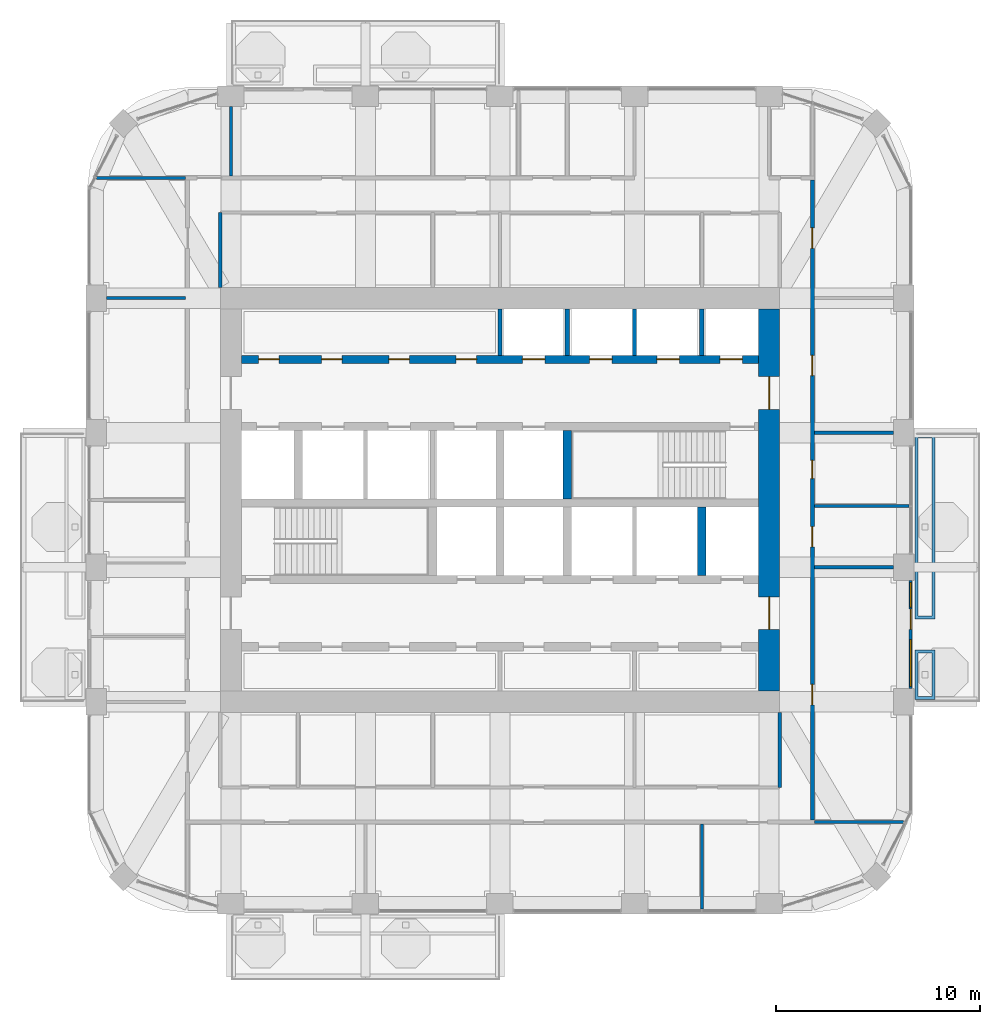
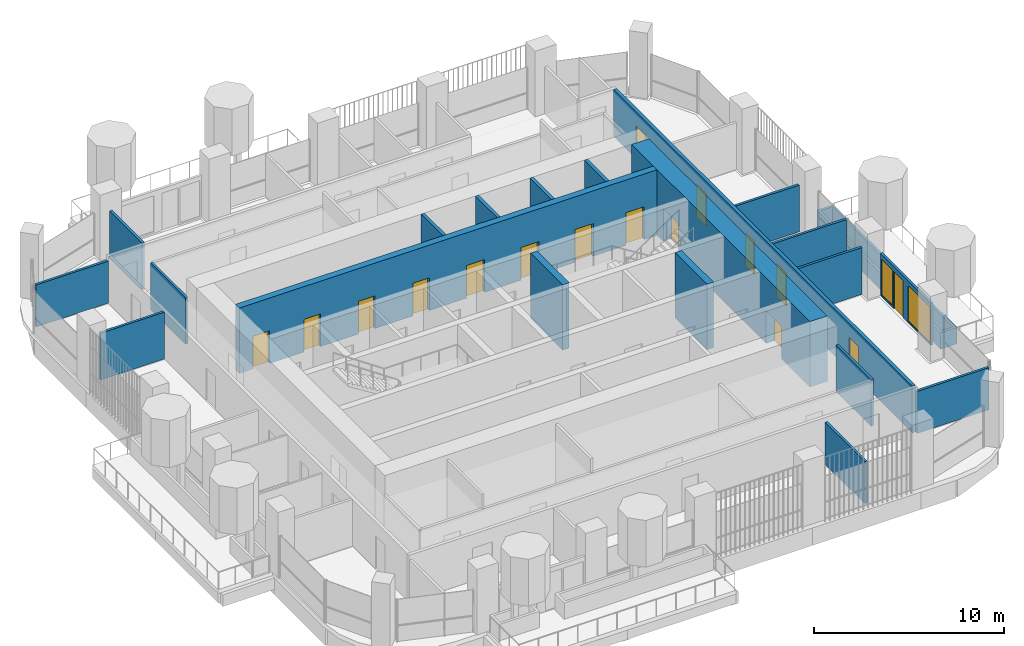
# One storey, part 14 of 20: 22 walls, 16 doors, 2 windows, 18 openings.
"""IFC4 building model written with IfcOpenShell, lengths in metres."""

from ifc_helpers import new_model, si_unit, direction, frame, frame_2d, origin, place, context, subcontext, project, spatial, polyline, rectangle, outline, extrude, material, layer, layer_set, type_object, element, fill, save


model = new_model("IFC4")

# Units and contexts
model_context = context("Model", 3, precision=1e-05, world=origin(), true_north=direction((0.0, 1.0)))
body_context = subcontext(model_context, "Body", "Model", "MODEL_VIEW")
ifc_project = project(units=[si_unit("LENGTHUNIT", "METRE"), si_unit("AREAUNIT", "SQUARE_METRE"), si_unit("VOLUMEUNIT", "CUBIC_METRE"), si_unit("PLANEANGLEUNIT", "RADIAN"), si_unit("MASSUNIT", "GRAM", prefix="KILO")], contexts=[model_context])

# Site, building, storey
site_placement = place(None, origin())
site = spatial("IfcSite", under=ifc_project, at=site_placement, CompositionType="ELEMENT")
building_placement = place(site_placement, origin())
building = spatial("IfcBuilding", under=site, at=building_placement, Name="Cobogo Forest Laboratory Tower", CompositionType="ELEMENT")
storey_placement = place(building_placement, frame((0.0, 0.0, 246.0)))
storey = spatial("IfcBuildingStorey", under=building, at=storey_placement, Name="L56", CompositionType="ELEMENT", Elevation=246.0)

# Wall, openings, doors
ifc_material_1 = material(Name="Concrete HA-50 (C50/60)", Category="concrete")
ifc_layer_1 = layer(ifc_material_1, 0.39990234375)
ifc_layer_set_1 = layer_set([ifc_layer_1], Name="CI400 core inner wall 400")
wall_type_1 = type_object("IfcWallType", Name="CI400 core inner wall 400", PredefinedType="SHEAR", material=ifc_layer_set_1)
wall_1_placement = place(storey_placement, frame((13.72509765625, 30.0, 0.0), z_axis=(0.0, 0.0, 1.0), x_axis=(1.0, 0.0, 0.0)))
wall_1 = element("IfcWall", 1, at=wall_1_placement, inside=storey, type_object=wall_type_1, Name="Core wall CI-30.0 L56", PredefinedType="SHEAR", context=body_context, shape_type="SweptSolid", body=[
    extrude(rectangle(XDim=25.349853515625, YDim=0.39990234375, at=frame_2d((12.6748046875, 0.0))), origin(), (0.0, 0.0, 1.0), 4.199951171875),
])
opening_1_placement = place(wall_1_placement, frame((0.83740234375, 0.0, 0.0)))
opening_1 = element("IfcOpeningElement", 2, at=opening_1_placement, cuts=wall_1, Name="Opening L56-D36", PredefinedType="OPENING", context=body_context, shape_type="SweptSolid", body=[
    extrude(rectangle(XDim=1.0, YDim=2.10009765625, at=frame_2d((0.5, 1.050048828125))), frame((0.0, 0.2099609375, 0.0), z_axis=(0.0, -1.0, 0.0), x_axis=(1.0, 0.0, 0.0)), (0.0, 0.0, 1.0), 0.419921875),
])
opening_2_placement = place(wall_1_placement, frame((3.925048828125, 0.0, 0.0)))
opening_2 = element("IfcOpeningElement", 3, at=opening_2_placement, cuts=wall_1, Name="Opening L56-D37", PredefinedType="OPENING", context=body_context, shape_type="SweptSolid", body=[
    extrude(rectangle(XDim=1.0, YDim=2.10009765625, at=frame_2d((0.5, 1.050048828125))), frame((0.0, 0.2099609375, 0.0), z_axis=(0.0, -1.0, 0.0), x_axis=(1.0, 0.0, 0.0)), (0.0, 0.0, 1.0), 0.419921875),
])
opening_3_placement = place(wall_1_placement, frame((7.22509765625, 0.0, 0.0)))
opening_3 = element("IfcOpeningElement", 4, at=opening_3_placement, cuts=wall_1, Name="Opening L56-D38", PredefinedType="OPENING", context=body_context, shape_type="SweptSolid", body=[
    extrude(rectangle(XDim=1.0, YDim=2.10009765625, at=frame_2d((0.5, 1.050048828125))), frame((0.0, 0.2099609375, 0.0), z_axis=(0.0, -1.0, 0.0), x_axis=(1.0, 0.0, 0.0)), (0.0, 0.0, 1.0), 0.419921875),
])
opening_4_placement = place(wall_1_placement, frame((10.52490234375, 0.0, 0.0)))
opening_4 = element("IfcOpeningElement", 5, at=opening_4_placement, cuts=wall_1, Name="Opening L56-D39", PredefinedType="OPENING", context=body_context, shape_type="SweptSolid", body=[
    extrude(rectangle(XDim=1.0, YDim=2.10009765625, at=frame_2d((0.5, 1.050048828125))), frame((0.0, 0.2099609375, 0.0), z_axis=(0.0, -1.0, 0.0), x_axis=(1.0, 0.0, 0.0)), (0.0, 0.0, 1.0), 0.419921875),
])
opening_5_placement = place(wall_1_placement, frame((13.77490234375, 0.0, 0.0)))
opening_5 = element("IfcOpeningElement", 6, at=opening_5_placement, cuts=wall_1, Name="Opening L56-LD-LD1", PredefinedType="OPENING", context=body_context, shape_type="SweptSolid", body=[
    extrude(rectangle(XDim=1.10009765625, YDim=2.10009765625, at=frame_2d((0.550048828125, 1.050048828125))), frame((0.0, 0.2099609375, 0.0), z_axis=(0.0, -1.0, 0.0), x_axis=(1.0, 0.0, 0.0)), (0.0, 0.0, 1.0), 0.419921875),
])
opening_6_placement = place(wall_1_placement, frame((17.074951171875, 0.0, 0.0)))
opening_6 = element("IfcOpeningElement", 7, at=opening_6_placement, cuts=wall_1, Name="Opening L56-LD-LD2", PredefinedType="OPENING", context=body_context, shape_type="SweptSolid", body=[
    extrude(rectangle(XDim=1.10009765625, YDim=2.10009765625, at=frame_2d((0.550048828125, 1.050048828125))), frame((0.0, 0.2099609375, 0.0), z_axis=(0.0, -1.0, 0.0), x_axis=(1.0, 0.0, 0.0)), (0.0, 0.0, 1.0), 0.419921875),
])
opening_7_placement = place(wall_1_placement, frame((20.375, 0.0, 0.0)))
opening_7 = element("IfcOpeningElement", 8, at=opening_7_placement, cuts=wall_1, Name="Opening L56-LD-LD3", PredefinedType="OPENING", context=body_context, shape_type="SweptSolid", body=[
    extrude(rectangle(XDim=1.10009765625, YDim=2.10009765625, at=frame_2d((0.550048828125, 1.050048828125))), frame((0.0, 0.2099609375, 0.0), z_axis=(0.0, -1.0, 0.0), x_axis=(1.0, 0.0, 0.0)), (0.0, 0.0, 1.0), 0.419921875),
])
opening_8_placement = place(wall_1_placement, frame((23.46240234375, 0.0, 0.0)))
opening_8 = element("IfcOpeningElement", 9, at=opening_8_placement, cuts=wall_1, Name="Opening L56-LD-LD4", PredefinedType="OPENING", context=body_context, shape_type="SweptSolid", body=[
    extrude(rectangle(XDim=1.10009765625, YDim=2.10009765625, at=frame_2d((0.550048828125, 1.050048828125))), frame((0.0, 0.2099609375, 0.0), z_axis=(0.0, -1.0, 0.0), x_axis=(1.0, 0.0, 0.0)), (0.0, 0.0, 1.0), 0.419921875),
])
ifc_material_2 = material(Name="Steel fire door", Category="steel")
door_type_1 = type_object("IfcDoorType", Name="FD1 fire door 1000 EI2 60", OperationType="SINGLE_SWING_LEFT", PredefinedType="DOOR", material=ifc_material_2)
door_1_placement = place(opening_1_placement, origin())
door_1 = element("IfcDoor", 10, at=door_1_placement, inside=storey, type_object=door_type_1, Name="Door L56-SH-LC1", OperationType="SINGLE_SWING_LEFT", OverallHeight=2.10009765625, OverallWidth=1.0, PredefinedType="DOOR", context=body_context, shape_type="SweptSolid", body=[
    extrude(rectangle(XDim=1.0, YDim=2.10009765625, at=frame_2d((0.5, 1.050048828125))), frame((0.0, 0.02490234375, 0.0), z_axis=(0.0, -1.0, 0.0), x_axis=(1.0, 0.0, 0.0)), (0.0, 0.0, 1.0), 0.050048828125),
])
fill(opening_1, door_1)
door_2_placement = place(opening_2_placement, origin())
door_2 = element("IfcDoor", 11, at=door_2_placement, inside=storey, type_object=door_type_1, Name="Door L56-SH-LC2", OperationType="SINGLE_SWING_LEFT", OverallHeight=2.10009765625, OverallWidth=1.0, PredefinedType="DOOR", context=body_context, shape_type="SweptSolid", body=[
    extrude(rectangle(XDim=1.0, YDim=2.10009765625, at=frame_2d((0.5, 1.050048828125))), frame((0.0, 0.02490234375, 0.0), z_axis=(0.0, -1.0, 0.0), x_axis=(1.0, 0.0, 0.0)), (0.0, 0.0, 1.0), 0.050048828125),
])
fill(opening_2, door_2)
door_3_placement = place(opening_3_placement, origin())
door_3 = element("IfcDoor", 12, at=door_3_placement, inside=storey, type_object=door_type_1, Name="Door L56-SH-LC3", OperationType="SINGLE_SWING_LEFT", OverallHeight=2.10009765625, OverallWidth=1.0, PredefinedType="DOOR", context=body_context, shape_type="SweptSolid", body=[
    extrude(rectangle(XDim=1.0, YDim=2.10009765625, at=frame_2d((0.5, 1.050048828125))), frame((0.0, 0.02490234375, 0.0), z_axis=(0.0, -1.0, 0.0), x_axis=(1.0, 0.0, 0.0)), (0.0, 0.0, 1.0), 0.050048828125),
])
fill(opening_3, door_3)
door_4_placement = place(opening_4_placement, origin())
door_4 = element("IfcDoor", 13, at=door_4_placement, inside=storey, type_object=door_type_1, Name="Door L56-SH-LC4", OperationType="SINGLE_SWING_LEFT", OverallHeight=2.10009765625, OverallWidth=1.0, PredefinedType="DOOR", context=body_context, shape_type="SweptSolid", body=[
    extrude(rectangle(XDim=1.0, YDim=2.10009765625, at=frame_2d((0.5, 1.050048828125))), frame((0.0, 0.02490234375, 0.0), z_axis=(0.0, -1.0, 0.0), x_axis=(1.0, 0.0, 0.0)), (0.0, 0.0, 1.0), 0.050048828125),
])
fill(opening_4, door_4)
ifc_material_3 = material(Name="Stainless steel lift door", Category="steel")
door_type_2 = type_object("IfcDoorType", Name="LD lift landing door 1100", OperationType="DOUBLE_DOOR_SLIDING", PredefinedType="DOOR", material=ifc_material_3)
door_5_placement = place(opening_5_placement, origin())
door_5 = element("IfcDoor", 14, at=door_5_placement, inside=storey, type_object=door_type_2, Name="Lift landing door LD1 L56", OperationType="DOUBLE_DOOR_SLIDING", OverallHeight=2.10009765625, OverallWidth=1.10009765625, PredefinedType="DOOR", context=body_context, shape_type="SweptSolid", body=[
    extrude(rectangle(XDim=1.10009765625, YDim=2.10009765625, at=frame_2d((0.550048828125, 1.050048828125))), frame((0.0, 0.02490234375, 0.0), z_axis=(0.0, -1.0, 0.0), x_axis=(1.0, 0.0, 0.0)), (0.0, 0.0, 1.0), 0.050048828125),
])
fill(opening_5, door_5)
door_6_placement = place(opening_6_placement, origin())
door_6 = element("IfcDoor", 15, at=door_6_placement, inside=storey, type_object=door_type_2, Name="Lift landing door LD2 L56", OperationType="DOUBLE_DOOR_SLIDING", OverallHeight=2.10009765625, OverallWidth=1.10009765625, PredefinedType="DOOR", context=body_context, shape_type="SweptSolid", body=[
    extrude(rectangle(XDim=1.10009765625, YDim=2.10009765625, at=frame_2d((0.550048828125, 1.050048828125))), frame((0.0, 0.02490234375, 0.0), z_axis=(0.0, -1.0, 0.0), x_axis=(1.0, 0.0, 0.0)), (0.0, 0.0, 1.0), 0.050048828125),
])
fill(opening_6, door_6)
door_7_placement = place(opening_7_placement, origin())
door_7 = element("IfcDoor", 16, at=door_7_placement, inside=storey, type_object=door_type_2, Name="Lift landing door LD3 L56", OperationType="DOUBLE_DOOR_SLIDING", OverallHeight=2.10009765625, OverallWidth=1.10009765625, PredefinedType="DOOR", context=body_context, shape_type="SweptSolid", body=[
    extrude(rectangle(XDim=1.10009765625, YDim=2.10009765625, at=frame_2d((0.550048828125, 1.050048828125))), frame((0.0, 0.02490234375, 0.0), z_axis=(0.0, -1.0, 0.0), x_axis=(1.0, 0.0, 0.0)), (0.0, 0.0, 1.0), 0.050048828125),
])
fill(opening_7, door_7)
door_8_placement = place(opening_8_placement, origin())
door_8 = element("IfcDoor", 17, at=door_8_placement, inside=storey, type_object=door_type_2, Name="Lift landing door LD4 L56", OperationType="DOUBLE_DOOR_SLIDING", OverallHeight=2.10009765625, OverallWidth=1.10009765625, PredefinedType="DOOR", context=body_context, shape_type="SweptSolid", body=[
    extrude(rectangle(XDim=1.10009765625, YDim=2.10009765625, at=frame_2d((0.550048828125, 1.050048828125))), frame((0.0, 0.02490234375, 0.0), z_axis=(0.0, -1.0, 0.0), x_axis=(1.0, 0.0, 0.0)), (0.0, 0.0, 1.0), 0.050048828125),
])
fill(opening_8, door_8)

# Walls
for number, where, z_axis, x_axis, name in (
    (18, (36.300048828125, 19.39990234375, 0.0), (0.0, 0.0, 1.0), (0.0, 1.0, 0.0), "Core wall CX-36.3 L56"),
    (19, (29.699951171875, 23.14990234375, 0.0), (0.0, 0.0, 1.0), (0.0, 1.0, 0.0), "Core wall CX-29.7N L56"),
):
    element("IfcWall", number, at=place(storey_placement, frame(where, z_axis=z_axis, x_axis=x_axis)), inside=storey, type_object=wall_type_1, Name=name, PredefinedType="SHEAR", context=body_context, shape_type="SweptSolid", body=[
        extrude(rectangle(XDim=3.35009765625, YDim=0.39990234375, at=frame_2d((1.675048828125, 0.0))), origin(), (0.0, 0.0, 1.0), 4.199951171875),
    ])

# Wall, openings, doors
ifc_layer_2 = layer(ifc_material_1, 1.050048828125)
ifc_layer_set_2 = layer_set([ifc_layer_2], Name="CW1050 core outer wall 1050")
wall_type_2 = type_object("IfcWallType", Name="CW1050 core outer wall 1050", PredefinedType="SHEAR", material=ifc_layer_set_2)
wall_2_placement = place(storey_placement, frame((39.60009765625, 13.72509765625, 0.0), z_axis=(0.0, 0.0, 1.0), x_axis=(0.0, 1.0, 0.0)))
wall_2 = element("IfcWall", 20, at=wall_2_placement, inside=storey, type_object=wall_type_2, Name="Core wall CO-E L56", PredefinedType="SHEAR", context=body_context, shape_type="SweptSolid", body=[
    extrude(rectangle(XDim=18.75, YDim=1.050048828125, at=frame_2d((9.375, 0.0))), origin(), (0.0, 0.0, 1.0), 4.199951171875),
])
opening_9_placement = place(wall_2_placement, frame((3.02490234375, 0.0, 0.0)))
opening_9 = element("IfcOpeningElement", 21, at=opening_9_placement, cuts=wall_2, Name="Opening L56-D23", PredefinedType="OPENING", context=body_context, shape_type="SweptSolid", body=[
    extrude(rectangle(XDim=1.60009765625, YDim=2.10009765625, at=frame_2d((0.800048828125, 1.050048828125))), frame((0.0, 0.534912109375, 0.0), z_axis=(0.0, -1.0, 0.0), x_axis=(1.0, 0.0, 0.0)), (0.0, 0.0, 1.0), 1.070068359375),
])
opening_10_placement = place(wall_2_placement, frame((13.824951171875, 0.0, 0.0)))
opening_10 = element("IfcOpeningElement", 22, at=opening_10_placement, cuts=wall_2, Name="Opening L56-D34", PredefinedType="OPENING", context=body_context, shape_type="SweptSolid", body=[
    extrude(rectangle(XDim=1.60009765625, YDim=2.10009765625, at=frame_2d((0.800048828125, 1.050048828125))), frame((0.0, 0.534912109375, 0.0), z_axis=(0.0, -1.0, 0.0), x_axis=(1.0, 0.0, 0.0)), (0.0, 0.0, 1.0), 1.070068359375),
])
door_type_3 = type_object("IfcDoorType", Name="DS2 protected lobby door pair 1600 EI2 60", OperationType="DOUBLE_DOOR_DOUBLE_SWING", PredefinedType="DOOR", material=ifc_material_2)
door_9_placement = place(opening_9_placement, origin())
door_9 = element("IfcDoor", 23, at=door_9_placement, inside=storey, type_object=door_type_3, Name="Door L56-CO-E-S", OperationType="DOUBLE_DOOR_DOUBLE_SWING", OverallHeight=2.10009765625, OverallWidth=1.60009765625, PredefinedType="DOOR", context=body_context, shape_type="SweptSolid", body=[
    extrude(rectangle(XDim=1.60009765625, YDim=2.10009765625, at=frame_2d((0.800048828125, 1.050048828125))), frame((0.0, 0.02490234375, 0.0), z_axis=(0.0, -1.0, 0.0), x_axis=(1.0, 0.0, 0.0)), (0.0, 0.0, 1.0), 0.050048828125),
])
fill(opening_9, door_9)
door_10_placement = place(opening_10_placement, origin())
door_10 = element("IfcDoor", 24, at=door_10_placement, inside=storey, type_object=door_type_3, Name="Door L56-CO-E-N", OperationType="DOUBLE_DOOR_DOUBLE_SWING", OverallHeight=2.10009765625, OverallWidth=1.60009765625, PredefinedType="DOOR", context=body_context, shape_type="SweptSolid", body=[
    extrude(rectangle(XDim=1.60009765625, YDim=2.10009765625, at=frame_2d((0.800048828125, 1.050048828125))), frame((0.0, 0.02490234375, 0.0), z_axis=(0.0, -1.0, 0.0), x_axis=(1.0, 0.0, 0.0)), (0.0, 0.0, 1.0), 0.050048828125),
])
fill(opening_10, door_10)

# Wall, openings, door, windows
ifc_material_4 = material(Name="Aluminium framed glazed screen", Category="aluminium")
ifc_layer_3 = layer(ifc_material_4, 0.14990234375)
ifc_layer_set_3 = layer_set([ifc_layer_3], Name="GS1 glazed door screen 150")
wall_type_3 = type_object("IfcWallType", Name="GS1 glazed door screen 150", PredefinedType="SOLIDWALL", material=ifc_layer_set_3)
wall_3_placement = place(storey_placement, frame((46.550048828125, 13.85009765625, 0.0), z_axis=(0.0, 0.0, 1.0), x_axis=(0.0, 1.0, 0.0)))
wall_3 = element("IfcWall", 25, at=wall_3_placement, inside=storey, type_object=wall_type_3, Name="Door screen BAL-E1 L56", PredefinedType="SOLIDWALL", context=body_context, shape_type="SweptSolid", body=[
    extrude(rectangle(XDim=5.2998046875, YDim=0.14990234375, at=frame_2d((2.64990234375, 0.0))), origin(), (0.0, 0.0, 1.0), 2.699951171875),
])
opening_11_placement = place(wall_3_placement, frame((2.89990234375, 0.0, 0.0)))
opening_11 = element("IfcOpeningElement", 26, at=opening_11_placement, cuts=wall_3, Name="Opening L56-D21", PredefinedType="OPENING", context=body_context, shape_type="SweptSolid", body=[
    extrude(rectangle(XDim=1.0, YDim=2.39990234375, at=frame_2d((0.5, 1.199951171875))), frame((0.0, 0.0849609375, 0.0), z_axis=(0.0, -1.0, 0.0), x_axis=(1.0, 0.0, 0.0)), (0.0, 0.0, 1.0), 0.169921875),
])
opening_12_placement = place(wall_3_placement, frame((0.10009765625, 0.0, 0.10009765625)))
opening_12 = element("IfcOpeningElement", 27, at=opening_12_placement, cuts=wall_3, Name="Opening L56-W04", PredefinedType="OPENING", context=body_context, shape_type="SweptSolid", body=[
    extrude(rectangle(XDim=2.300048828125, YDim=2.300048828125, at=frame_2d((1.14990234375, 1.14990234375))), frame((0.0, 0.0849609375, 0.0), z_axis=(0.0, -1.0, 0.0), x_axis=(1.0, 0.0, 0.0)), (0.0, 0.0, 1.0), 0.169921875),
])
opening_13_placement = place(wall_3_placement, frame((4.0, 0.0, 0.10009765625)))
opening_13 = element("IfcOpeningElement", 28, at=opening_13_placement, cuts=wall_3, Name="Opening L56-W06", PredefinedType="OPENING", context=body_context, shape_type="SweptSolid", body=[
    extrude(rectangle(XDim=1.199951171875, YDim=2.300048828125, at=frame_2d((0.60009765625, 1.14990234375))), frame((0.0, 0.0849609375, 0.0), z_axis=(0.0, -1.0, 0.0), x_axis=(1.0, 0.0, 0.0)), (0.0, 0.0, 1.0), 0.169921875),
])
ifc_material_5 = material(Name="Aluminium glazed door", Category="aluminium")
door_type_4 = type_object("IfcDoorType", Name="DB1 balcony door 1000 glazed", OperationType="SINGLE_SWING_LEFT", PredefinedType="DOOR", material=ifc_material_5)
door_11_placement = place(opening_11_placement, origin())
door_11 = element("IfcDoor", 29, at=door_11_placement, inside=storey, type_object=door_type_4, Name="Door L56-BAL-E1", OperationType="SINGLE_SWING_RIGHT", OverallHeight=2.39990234375, OverallWidth=1.0, PredefinedType="DOOR", context=body_context, shape_type="SweptSolid", body=[
    extrude(rectangle(XDim=1.0, YDim=2.39990234375, at=frame_2d((0.5, 1.199951171875))), frame((0.0, 0.02490234375, 0.0), z_axis=(0.0, -1.0, 0.0), x_axis=(1.0, 0.0, 0.0)), (0.0, 0.0, 1.0), 0.050048828125),
])
fill(opening_11, door_11)
ifc_material_6 = material(Name="Aluminium framed glazing", Category="aluminium")
window_type_1 = type_object("IfcWindowType", Name="WG21 fixed glazed light 2300x2300", PartitioningType="SINGLE_PANEL", PredefinedType="WINDOW", material=ifc_material_6)
window_1_placement = place(opening_12_placement, origin())
window_1 = element("IfcWindow", 30, at=window_1_placement, inside=storey, type_object=window_type_1, Name="Window L56-BAL-E1-1", OverallHeight=2.300048828125, OverallWidth=2.300048828125, PartitioningType="SINGLE_PANEL", PredefinedType="WINDOW", context=body_context, shape_type="SweptSolid", body=[
    extrude(rectangle(XDim=2.300048828125, YDim=2.300048828125, at=frame_2d((1.14990234375, 1.14990234375))), frame((0.0, 0.030029296875, 0.0), z_axis=(0.0, -1.0, 0.0), x_axis=(1.0, 0.0, 0.0)), (0.0, 0.0, 1.0), 0.06005859375),
])
fill(opening_12, window_1)
window_type_2 = type_object("IfcWindowType", Name="WG22 fixed glazed light 1200x2300", PartitioningType="SINGLE_PANEL", PredefinedType="WINDOW", material=ifc_material_6)
window_2_placement = place(opening_13_placement, origin())
window_2 = element("IfcWindow", 31, at=window_2_placement, inside=storey, type_object=window_type_2, Name="Window L56-BAL-E1-2", OverallHeight=2.300048828125, OverallWidth=1.199951171875, PartitioningType="SINGLE_PANEL", PredefinedType="WINDOW", context=body_context, shape_type="SweptSolid", body=[
    extrude(rectangle(XDim=1.199951171875, YDim=2.300048828125, at=frame_2d((0.60009765625, 1.14990234375))), frame((0.0, 0.030029296875, 0.0), z_axis=(0.0, -1.0, 0.0), x_axis=(1.0, 0.0, 0.0)), (0.0, 0.0, 1.0), 0.06005859375),
])
fill(opening_13, window_2)

# Walls
ifc_material_7 = material(Name="Gypsum board on steel studs", Category="steel")
ifc_layer_4 = layer(ifc_material_7, 0.14990234375)
ifc_layer_set_4 = layer_set([ifc_layer_4], Name="PT1 laboratory partition 150")
wall_type_4 = type_object("IfcWallType", Name="PT1 laboratory partition 150", PredefinedType="PARTITIONING", material=ifc_layer_set_4)
for number, where, z_axis, x_axis, name in (
    (32, (12.675048828125, 33.52490234375, 0.0), (0.0, 0.0, 1.0), (0.0, 1.0, 0.0), "Partition CSTRIP-NW L56"),
    (33, (40.125, 12.675048828125, 0.0), (0.0, 0.0, 1.0), (0.0, -1.0, 0.0), "Partition CSTRIP-SE L56"),
):
    element("IfcWall", number, at=place(storey_placement, frame(where, z_axis=z_axis, x_axis=x_axis)), inside=storey, type_object=wall_type_4, Name=name, PredefinedType="PARTITIONING", context=body_context, shape_type="SweptSolid", body=[
        extrude(rectangle(XDim=3.675048828125, YDim=0.14990234375, at=frame_2d((1.83740234375, 0.0))), origin(), (0.0, 0.0, 1.0), 3.0),
    ])
for number, where, z_axis, x_axis, name in (
    (34, (46.197509765625, 7.300048828125, 0.0), (0.0, 0.0, 1.0), (-1.0, 0.0, 0.0), "Partition PW-SE L56"),
    (35, (6.6025390625, 38.89990234375, 0.0), (0.0, 0.0, 1.0), (1.0, 0.0, 0.0), "Partition PW-NW L56"),
):
    element("IfcWall", number, at=place(storey_placement, frame(where, z_axis=z_axis, x_axis=x_axis)), inside=storey, type_object=wall_type_4, Name=name, PredefinedType="PARTITIONING", context=body_context, shape_type="SweptSolid", body=[
        extrude(rectangle(XDim=4.37255859375, YDim=0.14990234375, at=frame_2d((2.186279296875, 0.0))), origin(), (0.0, 0.0, 1.0), 2.699951171875),
    ])
wall_4_placement = place(storey_placement, frame((36.300048828125, 3.030029296875, 0.0), z_axis=(0.0, 0.0, 1.0), x_axis=(0.0, 1.0, 0.0)))
element("IfcWall", 36, at=wall_4_placement, inside=storey, type_object=wall_type_4, Name="Partition CUT-S36.3-1 L56", PredefinedType="PARTITIONING", context=body_context, shape_type="SweptSolid", body=[
    extrude(rectangle(XDim=4.169921875, YDim=0.14990234375, at=frame_2d((2.0849609375, 0.0))), origin(), (0.0, 0.0, 1.0), 2.699951171875),
])
wall_5_placement = place(storey_placement, frame((46.469970703125, 22.800048828125, 0.0), z_axis=(0.0, 0.0, 1.0), x_axis=(-1.0, 0.0, 0.0)))
element("IfcWall", 37, at=wall_5_placement, inside=storey, type_object=wall_type_4, Name="Partition SVC-E1-1 L56", PredefinedType="PARTITIONING", context=body_context, shape_type="SweptSolid", body=[
    extrude(rectangle(XDim=4.64501953125, YDim=0.14990234375, at=frame_2d((2.322509765625, 0.0))), origin(), (0.0, 0.0, 1.0), 2.699951171875),
])
for number, where, z_axis, x_axis, name in (
    (38, (45.699951171875, 26.39990234375, 0.0), (0.0, 0.0, 1.0), (-1.0, 0.0, 0.0), "Partition SVC-E2-1 L56"),
    (39, (45.699951171875, 19.800048828125, 0.0), (0.0, 0.0, 1.0), (-1.0, 0.0, 0.0), "Partition CUT-E19.8-1 L56"),
):
    element("IfcWall", number, at=place(storey_placement, frame(where, z_axis=z_axis, x_axis=x_axis)), inside=storey, type_object=wall_type_4, Name=name, PredefinedType="PARTITIONING", context=body_context, shape_type="SweptSolid", body=[
        extrude(rectangle(XDim=3.875, YDim=0.14990234375, at=frame_2d((1.9375, 0.0))), origin(), (0.0, 0.0, 1.0), 3.0),
    ])
wall_6_placement = place(storey_placement, frame((13.199951171875, 42.39990234375, 0.0), z_axis=(0.0, 0.0, 1.0), x_axis=(0.0, -1.0, 0.0)))
element("IfcWall", 40, at=wall_6_placement, inside=storey, type_object=wall_type_4, Name="Partition CUT-N13.2-1 L56", PredefinedType="PARTITIONING", context=body_context, shape_type="SweptSolid", body=[
    extrude(rectangle(XDim=3.39990234375, YDim=0.14990234375, at=frame_2d((1.699951171875, 0.0))), origin(), (0.0, 0.0, 1.0), 3.0),
])
wall_7_placement = place(storey_placement, frame((7.10009765625, 33.0, 0.0), z_axis=(0.0, 0.0, 1.0), x_axis=(1.0, 0.0, 0.0)))
element("IfcWall", 41, at=wall_7_placement, inside=storey, type_object=wall_type_4, Name="Partition CUT-W33-1 L56", PredefinedType="PARTITIONING", context=body_context, shape_type="SweptSolid", body=[
    extrude(rectangle(XDim=3.875, YDim=0.14990234375, at=frame_2d((1.9375, 0.0))), origin(), (0.0, 0.0, 1.0), 3.0),
])

# Wall, openings, doors
ifc_layer_5 = layer(ifc_material_7, 0.199951171875)
ifc_layer_set_5 = layer_set([ifc_layer_5], Name="PT2 fire-rated corridor partition 200")
wall_type_5 = type_object("IfcWallType", Name="PT2 fire-rated corridor partition 200", PredefinedType="PARTITIONING", material=ifc_layer_set_5)
wall_8_placement = place(storey_placement, frame((41.72509765625, 7.39990234375, 0.0), z_axis=(0.0, 0.0, 1.0), x_axis=(0.0, 1.0, 0.0)))
wall_8 = element("IfcWall", 42, at=wall_8_placement, inside=storey, type_object=wall_type_5, Name="Partition CORR-E L56", PredefinedType="PARTITIONING", context=body_context, shape_type="SweptSolid", body=[
    extrude(rectangle(XDim=31.400146484375, YDim=0.199951171875, at=frame_2d((15.7001953125, 0.0))), origin(), (0.0, 0.0, 1.0), 3.0),
])
opening_14_placement = place(wall_8_placement, frame((5.64990234375, 0.0, 0.0)))
opening_14 = element("IfcOpeningElement", 43, at=opening_14_placement, cuts=wall_8, Name="Opening L56-D10", PredefinedType="OPENING", context=body_context, shape_type="SweptSolid", body=[
    extrude(rectangle(XDim=1.0, YDim=2.10009765625, at=frame_2d((0.5, 1.050048828125))), frame((0.0, 0.10986328125, 0.0), z_axis=(0.0, -1.0, 0.0), x_axis=(1.0, 0.0, 0.0)), (0.0, 0.0, 1.0), 0.219970703125),
])
opening_15_placement = place(wall_8_placement, frame((13.39990234375, 0.0, 0.0)))
opening_15 = element("IfcOpeningElement", 44, at=opening_15_placement, cuts=wall_8, Name="Opening L56-D28", PredefinedType="OPENING", context=body_context, shape_type="SweptSolid", body=[
    extrude(rectangle(XDim=1.0, YDim=2.10009765625, at=frame_2d((0.5, 1.050048828125))), frame((0.0, 0.10986328125, 0.0), z_axis=(0.0, -1.0, 0.0), x_axis=(1.0, 0.0, 0.0)), (0.0, 0.0, 1.0), 0.219970703125),
])
opening_16_placement = place(wall_8_placement, frame((16.75, 0.0, 0.0)))
opening_16 = element("IfcOpeningElement", 45, at=opening_16_placement, cuts=wall_8, Name="Opening L56-D30", PredefinedType="OPENING", context=body_context, shape_type="SweptSolid", body=[
    extrude(rectangle(XDim=0.89990234375, YDim=2.10009765625, at=frame_2d((0.449951171875, 1.050048828125))), frame((0.0, 0.10986328125, 0.0), z_axis=(0.0, -1.0, 0.0), x_axis=(1.0, 0.0, 0.0)), (0.0, 0.0, 1.0), 0.219970703125),
])
opening_17_placement = place(wall_8_placement, frame((21.800048828125, 0.0, 0.0)))
opening_17 = element("IfcOpeningElement", 46, at=opening_17_placement, cuts=wall_8, Name="Opening L56-D35", PredefinedType="OPENING", context=body_context, shape_type="SweptSolid", body=[
    extrude(rectangle(XDim=1.0, YDim=2.10009765625, at=frame_2d((0.5, 1.050048828125))), frame((0.0, 0.10986328125, 0.0), z_axis=(0.0, -1.0, 0.0), x_axis=(1.0, 0.0, 0.0)), (0.0, 0.0, 1.0), 0.219970703125),
])
opening_18_placement = place(wall_8_placement, frame((28.050048828125, 0.0, 0.0)))
opening_18 = element("IfcOpeningElement", 47, at=opening_18_placement, cuts=wall_8, Name="Opening L56-D41", PredefinedType="OPENING", context=body_context, shape_type="SweptSolid", body=[
    extrude(rectangle(XDim=1.0, YDim=2.10009765625, at=frame_2d((0.5, 1.050048828125))), frame((0.0, 0.10986328125, 0.0), z_axis=(0.0, -1.0, 0.0), x_axis=(1.0, 0.0, 0.0)), (0.0, 0.0, 1.0), 0.219970703125),
])
door_12_placement = place(opening_15_placement, origin())
door_12 = element("IfcDoor", 48, at=door_12_placement, inside=storey, type_object=door_type_1, Name="Door L56-ELEC", OperationType="SINGLE_SWING_LEFT", OverallHeight=2.10009765625, OverallWidth=1.0, PredefinedType="DOOR", context=body_context, shape_type="SweptSolid", body=[
    extrude(rectangle(XDim=1.0, YDim=2.10009765625, at=frame_2d((0.5, 1.050048828125))), frame((0.0, 0.02490234375, 0.0), z_axis=(0.0, -1.0, 0.0), x_axis=(1.0, 0.0, 0.0)), (0.0, 0.0, 1.0), 0.050048828125),
])
fill(opening_15, door_12)
ifc_material_8 = material(Name="Timber fire door", Category="wood")
door_type_5 = type_object("IfcDoorType", Name="FD2 fire door 1000 EI2 30", OperationType="SINGLE_SWING_LEFT", PredefinedType="DOOR", material=ifc_material_8)
door_13_placement = place(opening_14_placement, origin())
door_13 = element("IfcDoor", 49, at=door_13_placement, inside=storey, type_object=door_type_5, Name="Door L56-E1", OperationType="SINGLE_SWING_LEFT", OverallHeight=2.10009765625, OverallWidth=1.0, PredefinedType="DOOR", context=body_context, shape_type="SweptSolid", body=[
    extrude(rectangle(XDim=1.0, YDim=2.10009765625, at=frame_2d((0.5, 1.050048828125))), frame((0.0, 0.02490234375, 0.0), z_axis=(0.0, -1.0, 0.0), x_axis=(1.0, 0.0, 0.0)), (0.0, 0.0, 1.0), 0.050048828125),
])
fill(opening_14, door_13)
door_14_placement = place(opening_17_placement, origin())
door_14 = element("IfcDoor", 50, at=door_14_placement, inside=storey, type_object=door_type_5, Name="Door L56-E2", OperationType="SINGLE_SWING_RIGHT", OverallHeight=2.10009765625, OverallWidth=1.0, PredefinedType="DOOR", context=body_context, shape_type="SweptSolid", body=[
    extrude(rectangle(XDim=1.0, YDim=2.10009765625, at=frame_2d((0.5, 1.050048828125))), frame((0.0, 0.02490234375, 0.0), z_axis=(0.0, -1.0, 0.0), x_axis=(1.0, 0.0, 0.0)), (0.0, 0.0, 1.0), 0.050048828125),
])
fill(opening_17, door_14)
door_15_placement = place(opening_18_placement, origin())
door_15 = element("IfcDoor", 51, at=door_15_placement, inside=storey, type_object=door_type_5, Name="Door L56-E3", OperationType="SINGLE_SWING_RIGHT", OverallHeight=2.10009765625, OverallWidth=1.0, PredefinedType="DOOR", context=body_context, shape_type="SweptSolid", body=[
    extrude(rectangle(XDim=1.0, YDim=2.10009765625, at=frame_2d((0.5, 1.050048828125))), frame((0.0, 0.02490234375, 0.0), z_axis=(0.0, -1.0, 0.0), x_axis=(1.0, 0.0, 0.0)), (0.0, 0.0, 1.0), 0.050048828125),
])
fill(opening_18, door_15)
door_type_6 = type_object("IfcDoorType", Name="FD4 riser access door 900 EI2 60", OperationType="SINGLE_SWING_LEFT", PredefinedType="DOOR", material=ifc_material_2)
door_16_placement = place(opening_16_placement, origin())
door_16 = element("IfcDoor", 52, at=door_16_placement, inside=storey, type_object=door_type_6, Name="Door L56-COMMS", OperationType="SINGLE_SWING_RIGHT", OverallHeight=2.10009765625, OverallWidth=0.89990234375, PredefinedType="DOOR", context=body_context, shape_type="SweptSolid", body=[
    extrude(rectangle(XDim=0.89990234375, YDim=2.10009765625, at=frame_2d((0.449951171875, 1.050048828125))), frame((0.0, 0.02490234375, 0.0), z_axis=(0.0, -1.0, 0.0), x_axis=(1.0, 0.0, 0.0)), (0.0, 0.0, 1.0), 0.050048828125),
])
fill(opening_16, door_16)

# Walls
ifc_material_9 = material(Name="Concrete HA-40 (C40/50)", Category="concrete")
ifc_layer_6 = layer(ifc_material_9, 0.14990234375)
ifc_layer_set_6 = layer_set([ifc_layer_6], Name="Planter box 1000x1050")
wall_type_6 = type_object("IfcWallType", Name="Planter box 1000x1050", PredefinedType="USERDEFINED", material=ifc_layer_set_6)
wall_9_placement = place(storey_placement, origin())
element("IfcWall", 53, at=wall_9_placement, inside=storey, type_object=wall_type_6, Name="Planter BAL-E1-1 L56", ObjectType="PLANTER", PredefinedType="USERDEFINED", context=body_context, shape_type="SweptSolid", body=[
    extrude(outline(polyline([(46.75, 13.300048828125), (47.75, 13.300048828125), (47.75, 15.75), (46.75, 15.75), (46.75, 13.300048828125)]), holes=[polyline([(46.89990234375, 13.449951171875), (47.60009765625, 13.449951171875), (47.60009765625, 15.60009765625), (46.89990234375, 15.60009765625), (46.89990234375, 13.449951171875)])]), origin(), (0.0, 0.0, 1.0), 1.050048828125),
])
wall_10_placement = place(storey_placement, origin())
element("IfcWall", 54, at=wall_10_placement, inside=storey, type_object=wall_type_6, Name="Planter BAL-E1-2 L56", ObjectType="PLANTER", PredefinedType="USERDEFINED", context=body_context, shape_type="SweptSolid", body=[
    extrude(outline(polyline([(46.75, 17.25), (47.75, 17.25), (47.75, 26.300048828125), (46.75, 26.300048828125), (46.75, 17.25)]), holes=[polyline([(46.89990234375, 17.39990234375), (47.60009765625, 17.39990234375), (47.60009765625, 26.14990234375), (46.89990234375, 26.14990234375), (46.89990234375, 17.39990234375)])]), origin(), (0.0, 0.0, 1.0), 1.050048828125),
])
ifc_material_10 = material(Name="Concrete block", Category="concrete")
ifc_layer_7 = layer(ifc_material_10, 0.199951171875)
ifc_layer_set_7 = layer_set([ifc_layer_7], Name="SW200 lift shaft separator 200")
wall_type_7 = type_object("IfcWallType", Name="SW200 lift shaft separator 200", PredefinedType="PARTITIONING", material=ifc_layer_set_7)
for number, where, z_axis, x_axis, name in (
    (55, (26.39990234375, 30.199951171875, 0.0), (0.0, 0.0, 1.0), (0.0, 1.0, 0.0), "Core wall SEP-N4 L56"),
    (56, (29.699951171875, 30.199951171875, 0.0), (0.0, 0.0, 1.0), (0.0, 1.0, 0.0), "Core wall SEP-N5 L56"),
    (57, (33.0, 30.199951171875, 0.0), (0.0, 0.0, 1.0), (0.0, 1.0, 0.0), "Core wall SEP-N6 L56"),
    (58, (36.300048828125, 30.199951171875, 0.0), (0.0, 0.0, 1.0), (0.0, 1.0, 0.0), "Core wall SEP-N7 L56"),
):
    element("IfcWall", number, at=place(storey_placement, frame(where, z_axis=z_axis, x_axis=x_axis)), inside=storey, type_object=wall_type_7, Name=name, PredefinedType="PARTITIONING", context=body_context, shape_type="SweptSolid", body=[
        extrude(rectangle(XDim=2.275146484375, YDim=0.199951171875, at=frame_2d((1.1376953125, 0.0))), origin(), (0.0, 0.0, 1.0), 4.199951171875),
    ])

save(model, "model.ifc")
